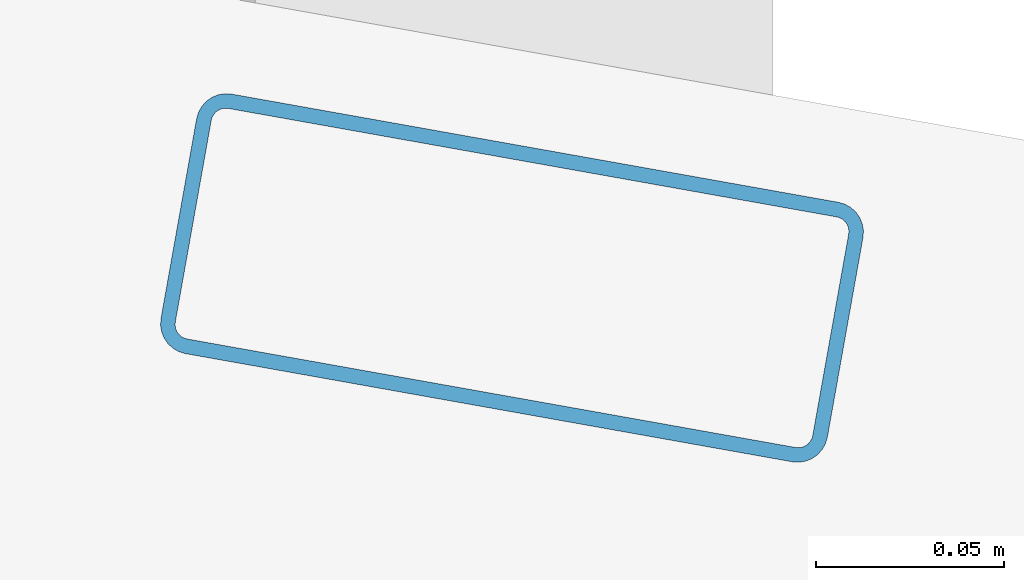
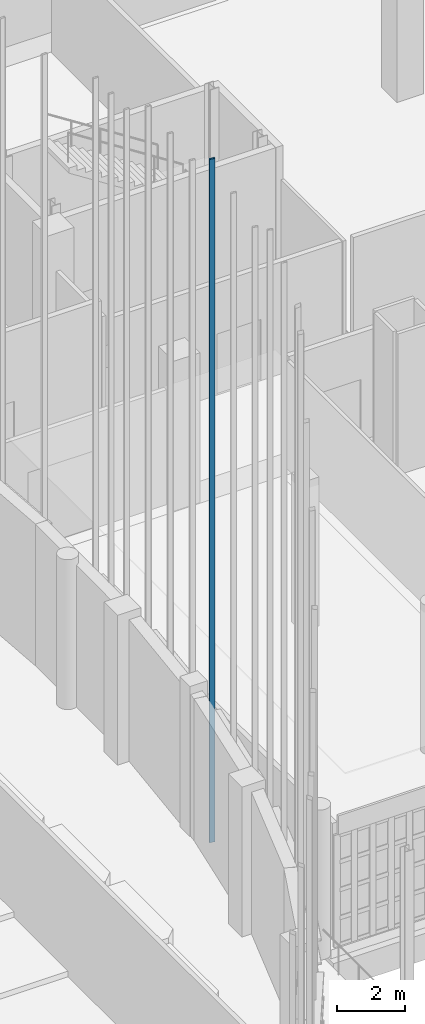
# One storey, part 115 of 372: 1 member.
"""IFC4 building model written with IfcOpenShell, lengths in metres."""

from ifc_helpers import new_model, si_unit, direction, frame, origin, origin_2d, place, context, subcontext, project, spatial, hollow_rectangle, extrude, material, material_profile, profile_set, type_object, element, save


model = new_model("IFC4")

# Units and contexts
model_context = context("Model", 3, precision=1e-05, world=origin(), true_north=direction((0.0, 1.0)))
body_context = subcontext(model_context, "Body", "Model", "MODEL_VIEW")
ifc_project = project(units=[si_unit("LENGTHUNIT", "METRE"), si_unit("AREAUNIT", "SQUARE_METRE"), si_unit("VOLUMEUNIT", "CUBIC_METRE"), si_unit("PLANEANGLEUNIT", "RADIAN"), si_unit("MASSUNIT", "GRAM", prefix="KILO")], contexts=[model_context])

# Site, building, storey
site_placement = place(None, origin())
site = spatial("IfcSite", under=ifc_project, at=site_placement, CompositionType="ELEMENT")
building_placement = place(site_placement, origin())
building = spatial("IfcBuilding", under=site, at=building_placement, Name="Kaelora Sail Theatre", CompositionType="ELEMENT")
storey_placement = place(building_placement, origin())
storey = spatial("IfcBuildingStorey", under=building, at=storey_placement, Name="L00", CompositionType="ELEMENT", Elevation=0.0)

# Member
ifc_material = material(Name="Anodised aluminium 6063-T6", Category="aluminium")
ifc_material_profile = material_profile(ifc_material, hollow_rectangle(XDim=0.070068359375, YDim=0.179931640625, WallThickness=0.00390625, InnerFilletRadius=0.00390625, OuterFilletRadius=0.008056640625, at=origin_2d()), Name="ALU-MULL 70x180x4")
ifc_profile_set = profile_set([ifc_material_profile], Name="Anodised aluminium 6063-T6")
member_type = type_object("IfcMemberType", Name="ARC-MEM-PST-160", PredefinedType="POST", material=ifc_profile_set)
member_placement = place(storey_placement, frame((58.33056640625, 45.284423828125, 0.0), z_axis=(0.0, 0.0, 1.0), x_axis=(-0.17553855164, -0.984472557712, 0.0)))
element("IfcMember", 1, at=member_placement, inside=storey, type_object=member_type, Name="Main Theatre Sail Drum solar louvre vertical support post C4-1", PredefinedType="POST", context=body_context, shape_type="SweptSolid", body=[
    extrude(hollow_rectangle(XDim=0.070068359375, YDim=0.179931640625, WallThickness=0.00390625, InnerFilletRadius=0.00390625, OuterFilletRadius=0.008056640625, at=origin_2d()), origin(), (0.0, 0.0, 1.0), 24.617919921875),
])

save(model, "model.ifc")
